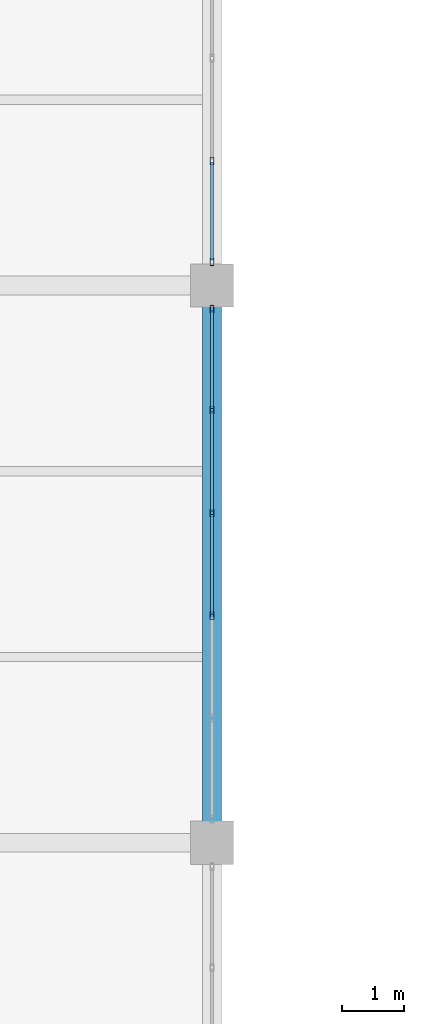
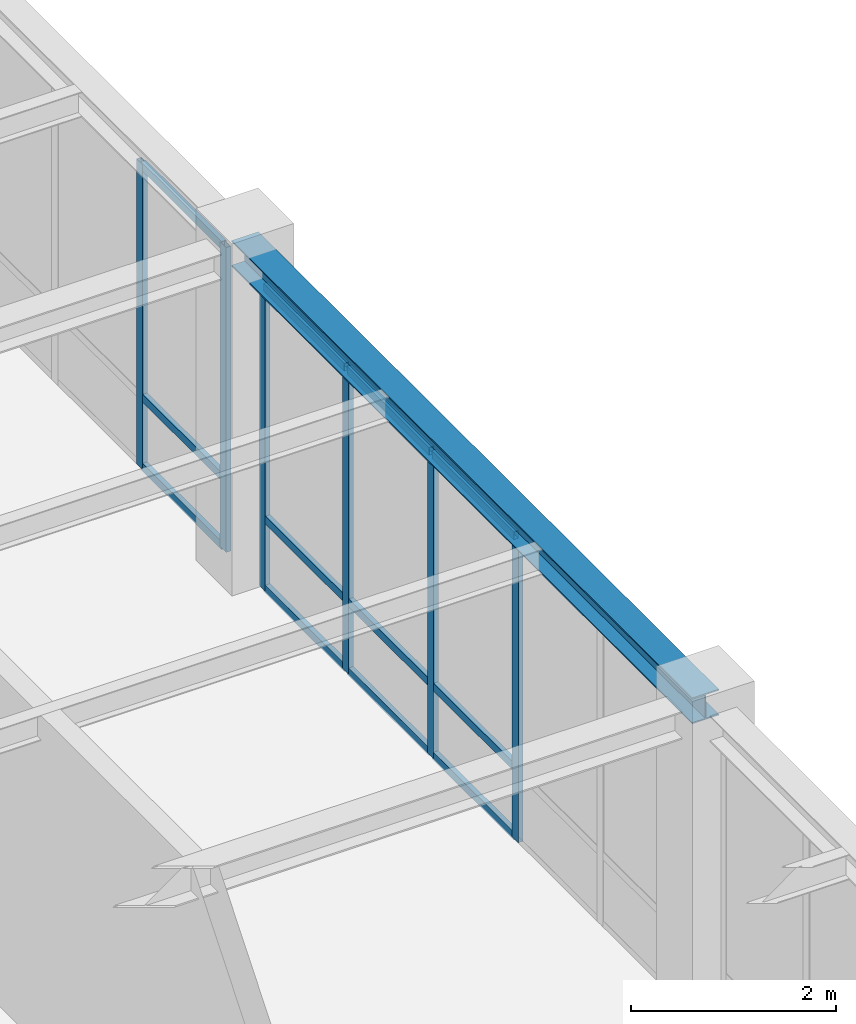
# One storey, part 59 of 108: 18 members, 1 beam, 2 elements without a shape of their own.
"""IFC4 building model written with IfcOpenShell, lengths in metres."""

from ifc_helpers import new_model, si_unit, direction, frame, origin, origin_2d, place, context, subcontext, project, spatial, hollow_rectangle, i_section, extrude, material, material_profile, profile_set, type_object, element, aggregate, save


model = new_model("IFC4")

# Units and contexts
model_context = context("Model", 3, precision=1e-05, world=origin(), true_north=direction((0.0, 1.0)))
body_context = subcontext(model_context, "Body", "Model", "MODEL_VIEW")
ifc_project = project(units=[si_unit("LENGTHUNIT", "METRE"), si_unit("AREAUNIT", "SQUARE_METRE"), si_unit("VOLUMEUNIT", "CUBIC_METRE"), si_unit("PLANEANGLEUNIT", "RADIAN"), si_unit("MASSUNIT", "GRAM", prefix="KILO")], contexts=[model_context])

# Site, building, storey
site_placement = place(None, origin())
site = spatial("IfcSite", under=ifc_project, at=site_placement, CompositionType="ELEMENT")
building_placement = place(site_placement, origin())
building = spatial("IfcBuilding", under=site, at=building_placement, Name="Lykobir Media Centre", CompositionType="ELEMENT")
storey_placement = place(building_placement, frame((0.0, 0.0, 15.0)))
storey = spatial("IfcBuildingStorey", under=building, at=storey_placement, Name="L03", CompositionType="ELEMENT", Elevation=15.0)

# Beam
ifc_material_1 = material(Name="Steel S355", Category="steel")
ifc_material_profile_1 = material_profile(ifc_material_1, i_section(OverallWidth=0.300048828125, OverallDepth=0.31005859375, WebThickness=0.009033203125, FlangeThickness=0.015380859375, at=origin_2d()), Name="HEA 320")
ifc_profile_set_1 = profile_set([ifc_material_profile_1], Name="Steel S355")
beam_type = type_object("IfcBeamType", Name="BM-HEA320", PredefinedType="BEAM", material=ifc_profile_set_1)
beam_placement = place(storey_placement, frame((99.0, 36.0, 3.804931640625), z_axis=(0.0, 1.0, 0.0), x_axis=(-1.0, 0.0, 0.0)))
element("IfcBeam", 1, at=beam_placement, inside=storey, type_object=beam_type, Name="Beam BM-L03-0990-0360-0990-0450-1880", PredefinedType="BEAM", context=body_context, shape_type="SweptSolid", body=[
    extrude(i_section(OverallWidth=0.300048828125, OverallDepth=0.31005859375, WebThickness=0.009033203125, FlangeThickness=0.015380859375, at=origin_2d()), origin(), (0.0, 0.0, 1.0), 9.0),
])

# Curtain wall, members
ifc_material_2 = material(Name="Anodized Aluminium AW-6060", Category="aluminium")
curtain_wall_type = type_object("IfcCurtainWallType", Name="CW-COURT-B", PredefinedType="NOTDEFINED", material=ifc_material_2)
curtain_wall_1_placement = place(storey_placement, origin())
curtain_wall_1 = element("IfcCurtainWall", 2, at=curtain_wall_1_placement, inside=storey, type_object=curtain_wall_type, Name="Curtain wall CW2-L03-0142", PredefinedType="NOTDEFINED")
ifc_material_profile_2 = material_profile(ifc_material_2, hollow_rectangle(XDim=0.054931640625, YDim=0.1201171875, WallThickness=0.003173828125, at=origin_2d()), Name="ALU MULLION 55x120")
ifc_profile_set_2 = profile_set([ifc_material_profile_2], Name="Anodized Aluminium AW-6060")
member_type_1 = type_object("IfcMemberType", Name="CWM-120", PredefinedType="MULLION", material=ifc_profile_set_2)
member_1_placement = place(storey_placement, frame((99.0, 44.617431640625, 0.0), z_axis=(0.0, 0.0, 1.0), x_axis=(1.0, 0.0, 0.0)))
member_1 = element("IfcMember", 3, at=member_1_placement, type_object=member_type_1, Name="CW2-L03-0142 mullion 1", PredefinedType="MULLION", context=body_context, shape_type="SweptSolid", body=[
    extrude(hollow_rectangle(XDim=0.054931640625, YDim=0.1201171875, WallThickness=0.003173828125, at=origin_2d()), origin(), (0.0, 0.0, 1.0), 3.635009765625),
])
member_2_placement = place(storey_placement, frame((99.0, 42.987060546875, 0.0), z_axis=(0.0, 0.0, 1.0), x_axis=(1.0, 0.0, 0.0)))
member_2 = element("IfcMember", 4, at=member_2_placement, type_object=member_type_1, Name="CW2-L03-0142 mullion 2", PredefinedType="MULLION", context=body_context, shape_type="SweptSolid", body=[
    extrude(hollow_rectangle(XDim=0.054931640625, YDim=0.1201171875, WallThickness=0.003173828125, at=origin_2d()), origin(), (0.0, 0.0, 1.0), 3.635009765625),
])
member_3_placement = place(storey_placement, frame((99.0, 41.3291015625, 0.0), z_axis=(0.0, 0.0, 1.0), x_axis=(1.0, 0.0, 0.0)))
member_3 = element("IfcMember", 5, at=member_3_placement, type_object=member_type_1, Name="CW2-L03-0142 mullion 3", PredefinedType="MULLION", context=body_context, shape_type="SweptSolid", body=[
    extrude(hollow_rectangle(XDim=0.054931640625, YDim=0.1201171875, WallThickness=0.003173828125, at=origin_2d()), origin(), (0.0, 0.0, 1.0), 3.635009765625),
])
member_4_placement = place(storey_placement, frame((99.0, 39.6708984375, 0.0), z_axis=(0.0, 0.0, 1.0), x_axis=(1.0, 0.0, 0.0)))
member_4 = element("IfcMember", 6, at=member_4_placement, type_object=member_type_1, Name="CW2-L03-0142 mullion 4", PredefinedType="MULLION", context=body_context, shape_type="SweptSolid", body=[
    extrude(hollow_rectangle(XDim=0.054931640625, YDim=0.1201171875, WallThickness=0.003173828125, at=origin_2d()), origin(), (0.0, 0.0, 1.0), 3.635009765625),
])

curtain_wall_2_placement = place(storey_placement, origin())
curtain_wall_2 = element("IfcCurtainWall", 7, at=curtain_wall_2_placement, inside=storey, type_object=curtain_wall_type, Name="Curtain wall CW2-L03-0143", PredefinedType="NOTDEFINED")
member_5_placement = place(storey_placement, frame((99.0, 47.012939453125, 0.0), z_axis=(0.0, 0.0, 1.0), x_axis=(1.0, 0.0, 0.0)))
member_5 = element("IfcMember", 8, at=member_5_placement, type_object=member_type_1, Name="CW2-L03-0143 mullion 5", PredefinedType="MULLION", context=body_context, shape_type="SweptSolid", body=[
    extrude(hollow_rectangle(XDim=0.054931640625, YDim=0.1201171875, WallThickness=0.003173828125, at=origin_2d()), origin(), (0.0, 0.0, 1.0), 3.635009765625),
])
member_6_placement = place(storey_placement, frame((99.0, 45.382568359375, 0.0), z_axis=(0.0, 0.0, 1.0), x_axis=(1.0, 0.0, 0.0)))
member_6 = element("IfcMember", 9, at=member_6_placement, type_object=member_type_1, Name="CW2-L03-0143 mullion 6", PredefinedType="MULLION", context=body_context, shape_type="SweptSolid", body=[
    extrude(hollow_rectangle(XDim=0.054931640625, YDim=0.1201171875, WallThickness=0.003173828125, at=origin_2d()), origin(), (0.0, 0.0, 1.0), 3.635009765625),
])

# Member
ifc_material_profile_3 = material_profile(ifc_material_2, hollow_rectangle(XDim=0.054931640625, YDim=0.094970703125, WallThickness=0.0029296875, at=origin_2d()), Name="ALU TRANSOM 55x95")
ifc_profile_set_3 = profile_set([ifc_material_profile_3], Name="Anodized Aluminium AW-6060")
member_type_2 = type_object("IfcMemberType", Name="CWT-095", PredefinedType="USERDEFINED", material=ifc_profile_set_3)
member_7_placement = place(storey_placement, frame((99.0, 44.590087890625, 0.027587890625), z_axis=(0.0, -1.0, 0.0), x_axis=(1.0, 0.0, 0.0)))
member_7 = element("IfcMember", 10, at=member_7_placement, type_object=member_type_2, Name="CW2-L03-0142 transom 1.1", ObjectType="TRANSOM", PredefinedType="USERDEFINED", context=body_context, shape_type="SweptSolid", body=[
    extrude(hollow_rectangle(XDim=0.054931640625, YDim=0.094970703125, WallThickness=0.0029296875, at=origin_2d()), origin(), (0.0, 0.0, 1.0), 1.57568359375),
])

member_8_placement = place(storey_placement, frame((99.0, 44.590087890625, 0.85009765625), z_axis=(0.0, -1.0, 0.0), x_axis=(1.0, 0.0, 0.0)))
member_8 = element("IfcMember", 11, at=member_8_placement, type_object=member_type_2, Name="CW2-L03-0142 transom 1.2", ObjectType="TRANSOM", PredefinedType="USERDEFINED", context=body_context, shape_type="SweptSolid", body=[
    extrude(hollow_rectangle(XDim=0.054931640625, YDim=0.094970703125, WallThickness=0.0029296875, at=origin_2d()), origin(), (0.0, 0.0, 1.0), 1.57568359375),
])

member_9_placement = place(storey_placement, frame((99.0, 44.590087890625, 3.607421875), z_axis=(0.0, -1.0, 0.0), x_axis=(1.0, 0.0, 0.0)))
member_9 = element("IfcMember", 12, at=member_9_placement, type_object=member_type_2, Name="CW2-L03-0142 transom 1.3", ObjectType="TRANSOM", PredefinedType="USERDEFINED", context=body_context, shape_type="SweptSolid", body=[
    extrude(hollow_rectangle(XDim=0.054931640625, YDim=0.094970703125, WallThickness=0.0029296875, at=origin_2d()), origin(), (0.0, 0.0, 1.0), 1.57568359375),
])

member_10_placement = place(storey_placement, frame((99.0, 42.95947265625, 0.027587890625), z_axis=(0.0, -1.0, 0.0), x_axis=(1.0, 0.0, 0.0)))
member_10 = element("IfcMember", 13, at=member_10_placement, type_object=member_type_2, Name="CW2-L03-0142 transom 2.1", ObjectType="TRANSOM", PredefinedType="USERDEFINED", context=body_context, shape_type="SweptSolid", body=[
    extrude(hollow_rectangle(XDim=0.054931640625, YDim=0.094970703125, WallThickness=0.0029296875, at=origin_2d()), origin(), (0.0, 0.0, 1.0), 1.60302734375),
])

member_11_placement = place(storey_placement, frame((99.0, 42.95947265625, 0.85009765625), z_axis=(0.0, -1.0, 0.0), x_axis=(1.0, 0.0, 0.0)))
member_11 = element("IfcMember", 14, at=member_11_placement, type_object=member_type_2, Name="CW2-L03-0142 transom 2.2", ObjectType="TRANSOM", PredefinedType="USERDEFINED", context=body_context, shape_type="SweptSolid", body=[
    extrude(hollow_rectangle(XDim=0.054931640625, YDim=0.094970703125, WallThickness=0.0029296875, at=origin_2d()), origin(), (0.0, 0.0, 1.0), 1.60302734375),
])

member_12_placement = place(storey_placement, frame((99.0, 42.95947265625, 3.607421875), z_axis=(0.0, -1.0, 0.0), x_axis=(1.0, 0.0, 0.0)))
member_12 = element("IfcMember", 15, at=member_12_placement, type_object=member_type_2, Name="CW2-L03-0142 transom 2.3", ObjectType="TRANSOM", PredefinedType="USERDEFINED", context=body_context, shape_type="SweptSolid", body=[
    extrude(hollow_rectangle(XDim=0.054931640625, YDim=0.094970703125, WallThickness=0.0029296875, at=origin_2d()), origin(), (0.0, 0.0, 1.0), 1.60302734375),
])

member_13_placement = place(storey_placement, frame((99.0, 41.301513671875, 0.027587890625), z_axis=(0.0, -1.0, 0.0), x_axis=(1.0, 0.0, 0.0)))
member_13 = element("IfcMember", 16, at=member_13_placement, type_object=member_type_2, Name="CW2-L03-0142 transom 3.1", ObjectType="TRANSOM", PredefinedType="USERDEFINED", context=body_context, shape_type="SweptSolid", body=[
    extrude(hollow_rectangle(XDim=0.054931640625, YDim=0.094970703125, WallThickness=0.0029296875, at=origin_2d()), origin(), (0.0, 0.0, 1.0), 1.60302734375),
])

member_14_placement = place(storey_placement, frame((99.0, 41.301513671875, 0.85009765625), z_axis=(0.0, -1.0, 0.0), x_axis=(1.0, 0.0, 0.0)))
member_14 = element("IfcMember", 17, at=member_14_placement, type_object=member_type_2, Name="CW2-L03-0142 transom 3.2", ObjectType="TRANSOM", PredefinedType="USERDEFINED", context=body_context, shape_type="SweptSolid", body=[
    extrude(hollow_rectangle(XDim=0.054931640625, YDim=0.094970703125, WallThickness=0.0029296875, at=origin_2d()), origin(), (0.0, 0.0, 1.0), 1.60302734375),
])

member_15_placement = place(storey_placement, frame((99.0, 41.301513671875, 3.607421875), z_axis=(0.0, -1.0, 0.0), x_axis=(1.0, 0.0, 0.0)))
member_15 = element("IfcMember", 18, at=member_15_placement, type_object=member_type_2, Name="CW2-L03-0142 transom 3.3", ObjectType="TRANSOM", PredefinedType="USERDEFINED", context=body_context, shape_type="SweptSolid", body=[
    extrude(hollow_rectangle(XDim=0.054931640625, YDim=0.094970703125, WallThickness=0.0029296875, at=origin_2d()), origin(), (0.0, 0.0, 1.0), 1.60302734375),
])

aggregate(curtain_wall_1, [member_1, member_2, member_3, member_4, member_7, member_8, member_9, member_10, member_11, member_12, member_13, member_14, member_15])

member_16_placement = place(storey_placement, frame((99.0, 46.985595703125, 0.027587890625), z_axis=(0.0, -1.0, 0.0), x_axis=(1.0, 0.0, 0.0)))
member_16 = element("IfcMember", 19, at=member_16_placement, type_object=member_type_2, Name="CW2-L03-0143 transom 5.1", ObjectType="TRANSOM", PredefinedType="USERDEFINED", context=body_context, shape_type="SweptSolid", body=[
    extrude(hollow_rectangle(XDim=0.054931640625, YDim=0.094970703125, WallThickness=0.0029296875, at=origin_2d()), origin(), (0.0, 0.0, 1.0), 1.57568359375),
])

member_17_placement = place(storey_placement, frame((99.0, 46.985595703125, 0.85009765625), z_axis=(0.0, -1.0, 0.0), x_axis=(1.0, 0.0, 0.0)))
member_17 = element("IfcMember", 20, at=member_17_placement, type_object=member_type_2, Name="CW2-L03-0143 transom 5.2", ObjectType="TRANSOM", PredefinedType="USERDEFINED", context=body_context, shape_type="SweptSolid", body=[
    extrude(hollow_rectangle(XDim=0.054931640625, YDim=0.094970703125, WallThickness=0.0029296875, at=origin_2d()), origin(), (0.0, 0.0, 1.0), 1.57568359375),
])

member_18_placement = place(storey_placement, frame((99.0, 46.985595703125, 3.607421875), z_axis=(0.0, -1.0, 0.0), x_axis=(1.0, 0.0, 0.0)))
member_18 = element("IfcMember", 21, at=member_18_placement, type_object=member_type_2, Name="CW2-L03-0143 transom 5.3", ObjectType="TRANSOM", PredefinedType="USERDEFINED", context=body_context, shape_type="SweptSolid", body=[
    extrude(hollow_rectangle(XDim=0.054931640625, YDim=0.094970703125, WallThickness=0.0029296875, at=origin_2d()), origin(), (0.0, 0.0, 1.0), 1.57568359375),
])

aggregate(curtain_wall_2, [member_5, member_6, member_16, member_17, member_18])

save(model, "model.ifc")
